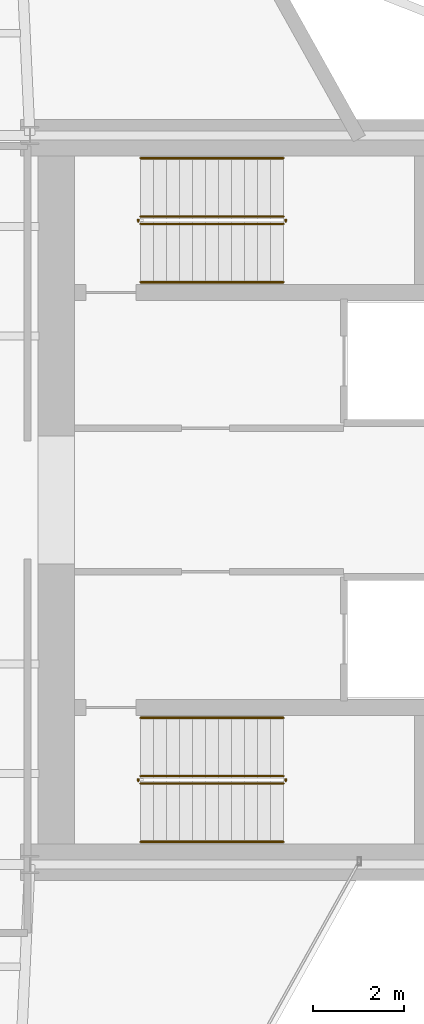
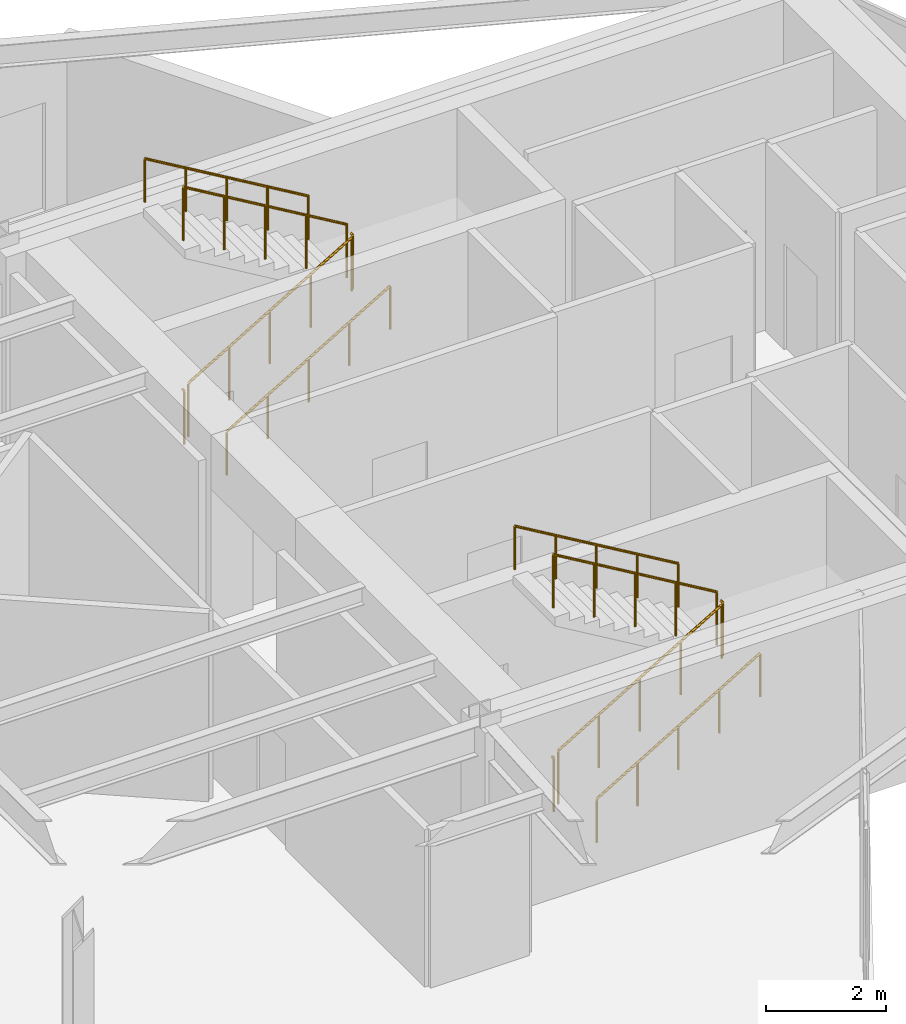
# One storey, part 22 of 23: 12 railings.
"""IFC4 building model written with IfcOpenShell, lengths in metres."""

from ifc_helpers import new_model, si_unit, direction, frame, origin, origin_2d, place, context, subcontext, project, spatial, circle, extrude, material, type_object, element, save


model = new_model("IFC4")

# Units and contexts
model_context = context("Model", 3, precision=1e-05, world=origin(), true_north=direction((0.0, 1.0)))
body_context = subcontext(model_context, "Body", "Model", "MODEL_VIEW")
ifc_project = project(units=[si_unit("LENGTHUNIT", "METRE"), si_unit("AREAUNIT", "SQUARE_METRE"), si_unit("VOLUMEUNIT", "CUBIC_METRE"), si_unit("PLANEANGLEUNIT", "RADIAN"), si_unit("MASSUNIT", "GRAM", prefix="KILO")], contexts=[model_context])

# Site, building, storey
site_placement = place(None, origin())
site = spatial("IfcSite", under=ifc_project, at=site_placement, CompositionType="ELEMENT")
building_placement = place(site_placement, origin())
building = spatial("IfcBuilding", under=site, at=building_placement, Name="Veymaron Broadcast Tower", CompositionType="ELEMENT")
storey_placement = place(building_placement, frame((0.0, 0.0, 161.39990234375)))
storey = spatial("IfcBuildingStorey", under=building, at=storey_placement, Name="L37", CompositionType="ELEMENT", Elevation=161.39990234375)

# Railings
ifc_material_1 = material(Name="Brushed stainless steel AISI 304", Category="steel")
railing_type_1 = type_object("IfcRailingType", Name="RAIL-STAIR-HR", PredefinedType="HANDRAIL", material=ifc_material_1)
railing_1_placement = place(storey_placement, frame((41.429931640625, 28.780029296875, 0.1689453125)))
element("IfcRailing", 1, at=railing_1_placement, inside=storey, type_object=railing_type_1, Name="L37 ST1 stair handrail 1", PredefinedType="HANDRAIL", context=body_context, shape_type="SweptSolid", body=[
    extrude(circle(Radius=0.02392578125, at=origin_2d()), frame((0.0, 0.0, 0.8759765625), z_axis=(0.860481960309, 0.0, 0.509480908359), x_axis=(0.0, 1.0, 0.0)), (0.0, 0.0, 1.0), 3.643310546875),
    extrude(circle(Radius=0.02099609375, at=origin_2d()), origin(), (0.0, 0.0, 1.0), 0.851806640625),
    extrude(circle(Radius=0.02099609375, at=origin_2d()), frame((0.78369140625, 0.0, 0.464111328125)), (0.0, 0.0, 1.0), 0.851806640625),
    extrude(circle(Radius=0.02099609375, at=origin_2d()), frame((1.5673828125, 0.0, 0.92822265625)), (0.0, 0.0, 1.0), 0.851806640625),
    extrude(circle(Radius=0.02099609375, at=origin_2d()), frame((2.351318359375, 0.0, 1.39208984375)), (0.0, 0.0, 1.0), 0.851806640625),
    extrude(circle(Radius=0.02099609375, at=origin_2d()), frame((3.135009765625, 0.0, 1.856201171875)), (0.0, 0.0, 1.0), 0.851806640625),
])
railing_2_placement = place(storey_placement, frame((44.56494140625, 31.5, 2.19384765625)))
element("IfcRailing", 2, at=railing_2_placement, inside=storey, type_object=railing_type_1, Name="L37 ST1 stair handrail 2", PredefinedType="HANDRAIL", context=body_context, shape_type="SweptSolid", body=[
    extrude(circle(Radius=0.02392578125, at=origin_2d()), frame((0.0, 0.0, 0.8759765625), z_axis=(-0.860481960309, 0.0, 0.509480908359), x_axis=(0.0, -1.0, 0.0)), (0.0, 0.0, 1.0), 3.643310546875),
    extrude(circle(Radius=0.02099609375, at=origin_2d()), origin(), (0.0, 0.0, 1.0), 0.851806640625),
    extrude(circle(Radius=0.02099609375, at=origin_2d()), frame((-0.78369140625, 0.0, 0.464111328125)), (0.0, 0.0, 1.0), 0.851806640625),
    extrude(circle(Radius=0.02099609375, at=origin_2d()), frame((-1.5673828125, 0.0, 0.92822265625)), (0.0, 0.0, 1.0), 0.851806640625),
    extrude(circle(Radius=0.02099609375, at=origin_2d()), frame((-2.351318359375, 0.0, 1.39208984375)), (0.0, 0.0, 1.0), 0.851806640625),
    extrude(circle(Radius=0.02099609375, at=origin_2d()), frame((-3.135009765625, 0.0, 1.856201171875)), (0.0, 0.0, 1.0), 0.851806640625),
])
railing_3_placement = place(storey_placement, frame((41.429931640625, 16.5, 0.1689453125)))
element("IfcRailing", 3, at=railing_3_placement, inside=storey, type_object=railing_type_1, Name="L37 ST2 stair handrail 1", PredefinedType="HANDRAIL", context=body_context, shape_type="SweptSolid", body=[
    extrude(circle(Radius=0.02392578125, at=origin_2d()), frame((0.0, 0.0, 0.8759765625), z_axis=(0.860481960309, 0.0, 0.509480908359), x_axis=(0.0, 1.0, 0.0)), (0.0, 0.0, 1.0), 3.643310546875),
    extrude(circle(Radius=0.02099609375, at=origin_2d()), origin(), (0.0, 0.0, 1.0), 0.851806640625),
    extrude(circle(Radius=0.02099609375, at=origin_2d()), frame((0.78369140625, 0.0, 0.464111328125)), (0.0, 0.0, 1.0), 0.851806640625),
    extrude(circle(Radius=0.02099609375, at=origin_2d()), frame((1.5673828125, 0.0, 0.92822265625)), (0.0, 0.0, 1.0), 0.851806640625),
    extrude(circle(Radius=0.02099609375, at=origin_2d()), frame((2.351318359375, 0.0, 1.39208984375)), (0.0, 0.0, 1.0), 0.851806640625),
    extrude(circle(Radius=0.02099609375, at=origin_2d()), frame((3.135009765625, 0.0, 1.856201171875)), (0.0, 0.0, 1.0), 0.851806640625),
])
railing_4_placement = place(storey_placement, frame((44.56494140625, 19.219970703125, 2.19384765625)))
element("IfcRailing", 4, at=railing_4_placement, inside=storey, type_object=railing_type_1, Name="L37 ST2 stair handrail 2", PredefinedType="HANDRAIL", context=body_context, shape_type="SweptSolid", body=[
    extrude(circle(Radius=0.02392578125, at=origin_2d()), frame((0.0, 0.0, 0.8759765625), z_axis=(-0.860481960309, 0.0, 0.509480908359), x_axis=(0.0, -1.0, 0.0)), (0.0, 0.0, 1.0), 3.643310546875),
    extrude(circle(Radius=0.02099609375, at=origin_2d()), origin(), (0.0, 0.0, 1.0), 0.851806640625),
    extrude(circle(Radius=0.02099609375, at=origin_2d()), frame((-0.78369140625, 0.0, 0.464111328125)), (0.0, 0.0, 1.0), 0.851806640625),
    extrude(circle(Radius=0.02099609375, at=origin_2d()), frame((-1.5673828125, 0.0, 0.92822265625)), (0.0, 0.0, 1.0), 0.851806640625),
    extrude(circle(Radius=0.02099609375, at=origin_2d()), frame((-2.351318359375, 0.0, 1.39208984375)), (0.0, 0.0, 1.0), 0.851806640625),
    extrude(circle(Radius=0.02099609375, at=origin_2d()), frame((-3.135009765625, 0.0, 1.856201171875)), (0.0, 0.0, 1.0), 0.851806640625),
])
ifc_material_2 = material(Name="Painted galvanized steel balustrade", Category="steel")
railing_type_2 = type_object("IfcRailingType", Name="RAIL-WELL-GRD", PredefinedType="GUARDRAIL", material=ifc_material_2)
railing_5_placement = place(storey_placement, frame((41.429931640625, 30.06005859375, 0.1689453125)))
element("IfcRailing", 5, at=railing_5_placement, inside=storey, type_object=railing_type_2, Name="L37 ST1 stair guard 1", PredefinedType="GUARDRAIL", context=body_context, shape_type="SweptSolid", body=[
    extrude(circle(Radius=0.02392578125, at=origin_2d()), frame((0.0, 0.0, 1.076171875), z_axis=(0.860481960309, 0.0, 0.509480908359), x_axis=(0.0, 1.0, 0.0)), (0.0, 0.0, 1.0), 3.643310546875),
    extrude(circle(Radius=0.02099609375, at=origin_2d()), origin(), (0.0, 0.0, 1.0), 1.052001953125),
    extrude(circle(Radius=0.02099609375, at=origin_2d()), frame((0.78369140625, 0.0, 0.464111328125)), (0.0, 0.0, 1.0), 1.052001953125),
    extrude(circle(Radius=0.02099609375, at=origin_2d()), frame((1.5673828125, 0.0, 0.92822265625)), (0.0, 0.0, 1.0), 1.052001953125),
    extrude(circle(Radius=0.02099609375, at=origin_2d()), frame((2.351318359375, 0.0, 1.39208984375)), (0.0, 0.0, 1.0), 1.052001953125),
    extrude(circle(Radius=0.02099609375, at=origin_2d()), frame((3.135009765625, 0.0, 1.856201171875)), (0.0, 0.0, 1.0), 1.052001953125),
])
railing_6_placement = place(storey_placement, frame((44.614990234375, 30.110107421875, 2.025146484375)))
element("IfcRailing", 6, at=railing_6_placement, inside=storey, type_object=railing_type_2, Name="L37 ST1 stair guard 2", PredefinedType="GUARDRAIL", context=body_context, shape_type="SweptSolid", body=[
    extrude(circle(Radius=0.02392578125, at=origin_2d()), frame((0.0, 0.0, 1.076171875), z_axis=(0.0, 1.0, 0.0), x_axis=(-1.0, 0.0, 0.0)), (0.0, 0.0, 1.0), 0.059814453125),
    extrude(circle(Radius=0.02099609375, at=origin_2d()), origin(), (0.0, 0.0, 1.0), 1.052001953125),
])
railing_7_placement = place(storey_placement, frame((44.56494140625, 30.219970703125, 2.19384765625)))
element("IfcRailing", 7, at=railing_7_placement, inside=storey, type_object=railing_type_2, Name="L37 ST1 stair guard 3", PredefinedType="GUARDRAIL", context=body_context, shape_type="SweptSolid", body=[
    extrude(circle(Radius=0.02392578125, at=origin_2d()), frame((0.0, 0.0, 1.076171875), z_axis=(-0.860481960309, 0.0, 0.509480908359), x_axis=(0.0, -1.0, 0.0)), (0.0, 0.0, 1.0), 3.643310546875),
    extrude(circle(Radius=0.02099609375, at=origin_2d()), origin(), (0.0, 0.0, 1.0), 1.052001953125),
    extrude(circle(Radius=0.02099609375, at=origin_2d()), frame((-0.78369140625, 0.0, 0.464111328125)), (0.0, 0.0, 1.0), 1.052001953125),
    extrude(circle(Radius=0.02099609375, at=origin_2d()), frame((-1.5673828125, 0.0, 0.92822265625)), (0.0, 0.0, 1.0), 1.052001953125),
    extrude(circle(Radius=0.02099609375, at=origin_2d()), frame((-2.351318359375, 0.0, 1.39208984375)), (0.0, 0.0, 1.0), 1.052001953125),
    extrude(circle(Radius=0.02099609375, at=origin_2d()), frame((-3.135009765625, 0.0, 1.856201171875)), (0.0, 0.0, 1.0), 1.052001953125),
])
railing_8_placement = place(storey_placement, frame((41.3798828125, 30.110107421875, 0.0)))
element("IfcRailing", 8, at=railing_8_placement, inside=storey, type_object=railing_type_2, Name="L37 ST1 stair guard 4", PredefinedType="GUARDRAIL", context=body_context, shape_type="SweptSolid", body=[
    extrude(circle(Radius=0.02392578125, at=origin_2d()), frame((0.0, 0.0, 1.076171875), z_axis=(0.0, 1.0, 0.0), x_axis=(-1.0, 0.0, 0.0)), (0.0, 0.0, 1.0), 0.059814453125),
    extrude(circle(Radius=0.02099609375, at=origin_2d()), origin(), (0.0, 0.0, 1.0), 1.052001953125),
])
railing_9_placement = place(storey_placement, frame((41.429931640625, 17.780029296875, 0.1689453125)))
element("IfcRailing", 9, at=railing_9_placement, inside=storey, type_object=railing_type_2, Name="L37 ST2 stair guard 1", PredefinedType="GUARDRAIL", context=body_context, shape_type="SweptSolid", body=[
    extrude(circle(Radius=0.02392578125, at=origin_2d()), frame((0.0, 0.0, 1.076171875), z_axis=(0.860481960309, 0.0, 0.509480908359), x_axis=(0.0, 1.0, 0.0)), (0.0, 0.0, 1.0), 3.643310546875),
    extrude(circle(Radius=0.02099609375, at=origin_2d()), origin(), (0.0, 0.0, 1.0), 1.052001953125),
    extrude(circle(Radius=0.02099609375, at=origin_2d()), frame((0.78369140625, 0.0, 0.464111328125)), (0.0, 0.0, 1.0), 1.052001953125),
    extrude(circle(Radius=0.02099609375, at=origin_2d()), frame((1.5673828125, 0.0, 0.92822265625)), (0.0, 0.0, 1.0), 1.052001953125),
    extrude(circle(Radius=0.02099609375, at=origin_2d()), frame((2.351318359375, 0.0, 1.39208984375)), (0.0, 0.0, 1.0), 1.052001953125),
    extrude(circle(Radius=0.02099609375, at=origin_2d()), frame((3.135009765625, 0.0, 1.856201171875)), (0.0, 0.0, 1.0), 1.052001953125),
])
railing_10_placement = place(storey_placement, frame((44.614990234375, 17.830078125, 2.025146484375)))
element("IfcRailing", 10, at=railing_10_placement, inside=storey, type_object=railing_type_2, Name="L37 ST2 stair guard 2", PredefinedType="GUARDRAIL", context=body_context, shape_type="SweptSolid", body=[
    extrude(circle(Radius=0.02392578125, at=origin_2d()), frame((0.0, 0.0, 1.076171875), z_axis=(0.0, 1.0, 0.0), x_axis=(-1.0, 0.0, 0.0)), (0.0, 0.0, 1.0), 0.059814453125),
    extrude(circle(Radius=0.02099609375, at=origin_2d()), origin(), (0.0, 0.0, 1.0), 1.052001953125),
])
railing_11_placement = place(storey_placement, frame((44.56494140625, 17.93994140625, 2.19384765625)))
element("IfcRailing", 11, at=railing_11_placement, inside=storey, type_object=railing_type_2, Name="L37 ST2 stair guard 3", PredefinedType="GUARDRAIL", context=body_context, shape_type="SweptSolid", body=[
    extrude(circle(Radius=0.02392578125, at=origin_2d()), frame((0.0, 0.0, 1.076171875), z_axis=(-0.860481960309, 0.0, 0.509480908359), x_axis=(0.0, -1.0, 0.0)), (0.0, 0.0, 1.0), 3.643310546875),
    extrude(circle(Radius=0.02099609375, at=origin_2d()), origin(), (0.0, 0.0, 1.0), 1.052001953125),
    extrude(circle(Radius=0.02099609375, at=origin_2d()), frame((-0.78369140625, 0.0, 0.464111328125)), (0.0, 0.0, 1.0), 1.052001953125),
    extrude(circle(Radius=0.02099609375, at=origin_2d()), frame((-1.5673828125, 0.0, 0.92822265625)), (0.0, 0.0, 1.0), 1.052001953125),
    extrude(circle(Radius=0.02099609375, at=origin_2d()), frame((-2.351318359375, 0.0, 1.39208984375)), (0.0, 0.0, 1.0), 1.052001953125),
    extrude(circle(Radius=0.02099609375, at=origin_2d()), frame((-3.135009765625, 0.0, 1.856201171875)), (0.0, 0.0, 1.0), 1.052001953125),
])
railing_12_placement = place(storey_placement, frame((41.3798828125, 17.830078125, 0.0)))
element("IfcRailing", 12, at=railing_12_placement, inside=storey, type_object=railing_type_2, Name="L37 ST2 stair guard 4", PredefinedType="GUARDRAIL", context=body_context, shape_type="SweptSolid", body=[
    extrude(circle(Radius=0.02392578125, at=origin_2d()), frame((0.0, 0.0, 1.076171875), z_axis=(0.0, 1.0, 0.0), x_axis=(-1.0, 0.0, 0.0)), (0.0, 0.0, 1.0), 0.059814453125),
    extrude(circle(Radius=0.02099609375, at=origin_2d()), origin(), (0.0, 0.0, 1.0), 1.052001953125),
])

save(model, "model.ifc")
